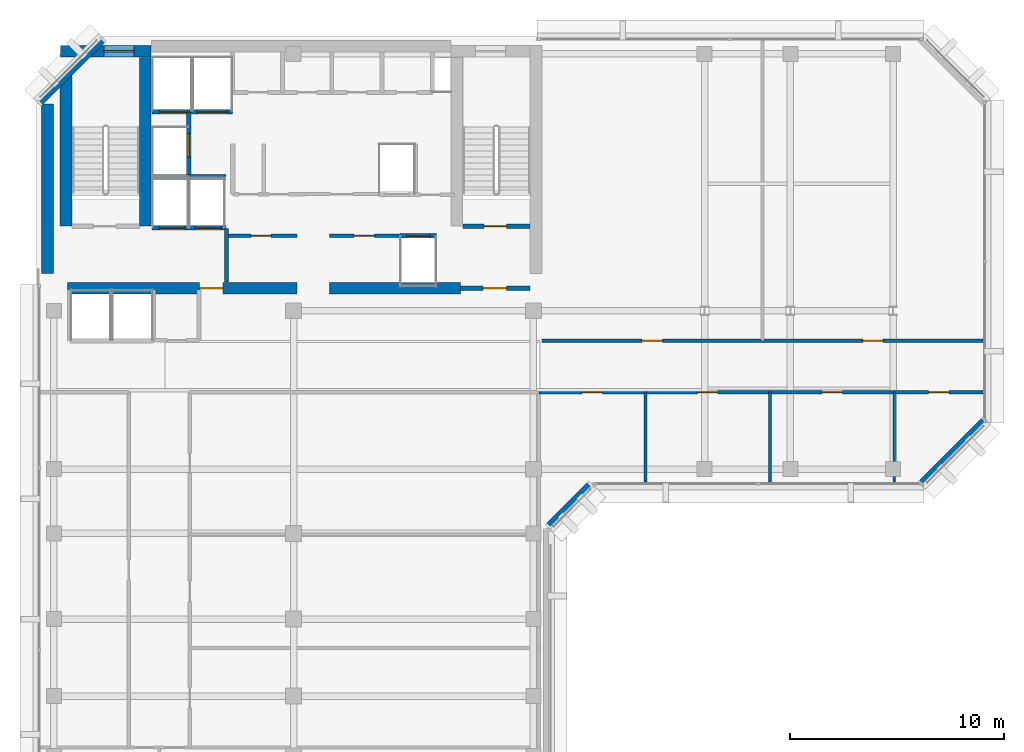
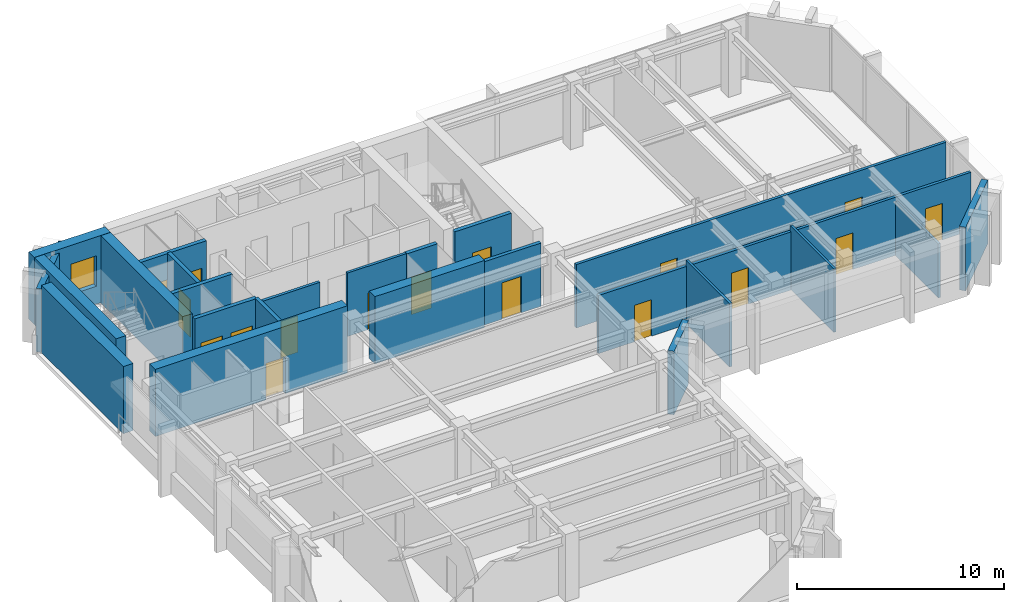
# One storey, part 7 of 11: 24 walls, 17 doors, 1 window, 18 openings.
"""IFC4 building model written with IfcOpenShell, lengths in metres."""

from ifc_helpers import new_model, si_unit, direction, frame, frame_2d, origin, place, context, subcontext, project, spatial, rectangle, extrude, material, layer, layer_set, type_object, element, fill, save


model = new_model("IFC4")

# Units and contexts
model_context = context("Model", 3, precision=1e-05, world=origin(), true_north=direction((0.0, 1.0)))
body_context = subcontext(model_context, "Body", "Model", "MODEL_VIEW")
ifc_project = project(units=[si_unit("LENGTHUNIT", "METRE"), si_unit("AREAUNIT", "SQUARE_METRE"), si_unit("VOLUMEUNIT", "CUBIC_METRE"), si_unit("PLANEANGLEUNIT", "RADIAN"), si_unit("MASSUNIT", "GRAM", prefix="KILO")], contexts=[model_context])

# Site, building, storey
site_placement = place(None, origin())
site = spatial("IfcSite", under=ifc_project, at=site_placement, CompositionType="ELEMENT")
building_placement = place(site_placement, origin())
building = spatial("IfcBuilding", under=site, at=building_placement, Name="Kefirva Bronze Tower", CompositionType="ELEMENT")
storey_placement = place(building_placement, frame((0.0, 0.0, 288.090087890625)))
storey = spatial("IfcBuildingStorey", under=building, at=storey_placement, Name="L70", CompositionType="ELEMENT", Elevation=288.090087890625)

# Walls
ifc_material_1 = material(Name="Gypsum acoustic partition")
ifc_layer_1 = layer(ifc_material_1, 0.1298828125, Name="Gypsum acoustic partition")
ifc_layer_set_1 = layer_set([ifc_layer_1], Name="Gypsum acoustic partition")
wall_type_1 = type_object("IfcWallType", Name="Acoustic Office Partition 130mm", PredefinedType="PARTITIONING", material=ifc_layer_set_1)
for number, where, z_axis, x_axis, name in (
    (1, (28.432373046875, 25.18994140625, 0.0), (0.0, 0.0, 1.0), (0.0, 1.0, 0.0), "L70 Partition W-L70-ESD1"),
    (2, (34.2451171875, 25.18994140625, 0.0), (0.0, 0.0, 1.0), (0.0, 1.0, 0.0), "L70 Partition W-L70-ESD2"),
):
    element("IfcWall", number, at=place(storey_placement, frame(where, z_axis=z_axis, x_axis=x_axis)), inside=storey, type_object=wall_type_1, Name=name, PredefinedType="PARTITIONING", context=body_context, shape_type="SweptSolid", body=[
        extrude(rectangle(XDim=4.2099609375, YDim=0.1298828125, at=frame_2d((2.10498046875, 0.0))), origin(), (0.0, 0.0, 1.0), 3.739990234375),
    ])
wall_1_placement = place(storey_placement, frame((40.05810546875, 25.18994140625, 0.0), z_axis=(0.0, 0.0, 1.0), x_axis=(0.0, 1.0, 0.0)))
element("IfcWall", 3, at=wall_1_placement, inside=storey, type_object=wall_type_1, Name="L70 Partition W-L70-ESD3", PredefinedType="PARTITIONING", context=body_context, shape_type="SweptSolid", body=[
    extrude(rectangle(XDim=4.2099609375, YDim=0.1298828125, at=frame_2d((2.10498046875, 0.0))), origin(), (0.0, 0.0, 1.0), 3.1748046875),
])

# Wall, opening, door
ifc_layer_2 = layer(ifc_material_1, 0.14990234375, Name="Gypsum acoustic partition")
ifc_layer_set_2 = layer_set([ifc_layer_2], Name="Gypsum acoustic partition")
wall_type_2 = type_object("IfcWallType", Name="Executive Suite Partition 150mm", PredefinedType="PARTITIONING", material=ifc_layer_set_2)
wall_2_placement = place(storey_placement, frame((13.679931640625, 36.699951171875, 0.0), z_axis=(0.0, 0.0, 1.0), x_axis=(1.0, 0.0, 0.0)))
wall_2 = element("IfcWall", 4, at=wall_2_placement, inside=storey, type_object=wall_type_2, Name="L70 Partition W-L70-RECMP1", PredefinedType="PARTITIONING", context=body_context, shape_type="SweptSolid", body=[
    extrude(rectangle(XDim=3.280029296875, YDim=0.14990234375, at=frame_2d((1.64013671875, 0.0))), origin(), (0.0, 0.0, 1.0), 3.739990234375),
])
opening_1_placement = place(wall_2_placement, frame((1.14990234375, 0.0, 0.0)))
opening_1 = element("IfcOpeningElement", 5, at=opening_1_placement, cuts=wall_2, Name="Opening L70-D-RECMP1", PredefinedType="OPENING", context=body_context, shape_type="SweptSolid", body=[
    extrude(rectangle(XDim=0.949951171875, YDim=2.14990234375, at=frame_2d((0.47509765625, 1.074951171875))), frame((0.0, 0.0849609375, 0.0), z_axis=(0.0, -1.0, 0.0), x_axis=(1.0, 0.0, 0.0)), (0.0, 0.0, 1.0), 0.169921875),
])
ifc_material_2 = material(Name="Acoustic hardwood oak", Category="wood")
door_type_1 = type_object("IfcDoorType", Name="Office & Meeting Room Door 950x2150", OperationType="NOTDEFINED", PredefinedType="DOOR", material=ifc_material_2)
door_1_placement = place(opening_1_placement, origin())
door_1 = element("IfcDoor", 6, at=door_1_placement, inside=storey, type_object=door_type_1, Name="Door L70-D-RECMP1", OperationType="SINGLE_SWING_LEFT", OverallHeight=2.14990234375, OverallWidth=0.949951171875, PredefinedType="DOOR", context=body_context, shape_type="SweptSolid", body=[
    extrude(rectangle(XDim=0.949951171875, YDim=2.14990234375, at=frame_2d((0.47509765625, 1.074951171875))), frame((0.0, 0.02490234375, 0.0), z_axis=(0.0, -1.0, 0.0), x_axis=(1.0, 0.0, 0.0)), (0.0, 0.0, 1.0), 0.050048828125),
])
fill(opening_1, door_1)

ifc_material_3 = material(Name="Gypsum fireboard shaftwall")
ifc_layer_3 = layer(ifc_material_3, 0.219970703125, Name="Gypsum fireboard shaftwall")
ifc_layer_set_3 = layer_set([ifc_layer_3], Name="Gypsum fireboard shaftwall")
wall_type_3 = type_object("IfcWallType", Name="Fire-Rated Shaft Enclosure Wall 220mm", PredefinedType="PARTITIONING", material=ifc_layer_set_3)
wall_3_placement = place(storey_placement, frame((19.89990234375, 37.14990234375, 0.0), z_axis=(0.0, 0.0, 1.0), x_axis=(1.0, 0.0, 0.0)))
wall_3 = element("IfcWall", 7, at=wall_3_placement, inside=storey, type_object=wall_type_3, Name="L70 Partition W-L70-ST2S", PredefinedType="PARTITIONING", context=body_context, shape_type="SweptSolid", body=[
    extrude(rectangle(XDim=3.150146484375, YDim=0.219970703125, at=frame_2d((1.5751953125, 0.0))), origin(), (0.0, 0.0, 1.0), 3.739990234375),
])
opening_2_placement = place(wall_3_placement, frame((2.050048828125, 0.0, 0.0), z_axis=(0.0, 0.0, 1.0), x_axis=(-1.0, 0.0, 0.0)))
opening_2 = element("IfcOpeningElement", 8, at=opening_2_placement, cuts=wall_3, Name="Opening L70-D003", PredefinedType="OPENING", context=body_context, shape_type="SweptSolid", body=[
    extrude(rectangle(XDim=1.050048828125, YDim=2.14990234375, at=frame_2d((0.52490234375, 1.074951171875))), frame((0.0, 0.1201171875, 0.0), z_axis=(0.0, -1.0, 0.0), x_axis=(1.0, 0.0, 0.0)), (0.0, 0.0, 1.0), 0.239990234375),
])
ifc_material_4 = material(Name="Painted galvanized steel", Category="steel")
door_type_2 = type_object("IfcDoorType", Name="Fire Stair Enclosure Door 1050x2150 FD90S", OperationType="NOTDEFINED", PredefinedType="DOOR", material=ifc_material_4)
door_2_placement = place(opening_2_placement, origin())
door_2 = element("IfcDoor", 9, at=door_2_placement, inside=storey, type_object=door_type_2, Name="Door L70-D003", OperationType="SINGLE_SWING_RIGHT", OverallHeight=2.14990234375, OverallWidth=1.050048828125, PredefinedType="DOOR", context=body_context, shape_type="SweptSolid", body=[
    extrude(rectangle(XDim=1.050048828125, YDim=2.14990234375, at=frame_2d((0.52490234375, 1.074951171875))), frame((0.0, 0.02490234375, 0.0), z_axis=(0.0, -1.0, 0.0), x_axis=(1.0, 0.0, 0.0)), (0.0, 0.0, 1.0), 0.050048828125),
])
fill(opening_2, door_2)

# Wall, openings, doors
wall_4_placement = place(storey_placement, frame((5.3798828125, 37.080078125, 0.0), z_axis=(0.0, 0.0, 1.0), x_axis=(1.0, 0.0, 0.0)))
wall_4 = element("IfcWall", 10, at=wall_4_placement, inside=storey, type_object=wall_type_3, Name="L70 Partition W-L70-FFS", PredefinedType="PARTITIONING", context=body_context, shape_type="SweptSolid", body=[
    extrude(rectangle(XDim=3.460205078125, YDim=0.219970703125, at=frame_2d((1.72998046875, 0.0))), origin(), (0.0, 0.0, 1.0), 3.739990234375),
])
opening_3_placement = place(wall_4_placement, frame((1.550048828125, 0.0, 0.0), z_axis=(0.0, 0.0, 1.0), x_axis=(-1.0, 0.0, 0.0)))
opening_3 = element("IfcOpeningElement", 11, at=opening_3_placement, cuts=wall_4, Name="Opening L70-LD-FF1", PredefinedType="OPENING", context=body_context, shape_type="SweptSolid", body=[
    extrude(rectangle(XDim=1.199951171875, YDim=2.199951171875, at=frame_2d((0.60009765625, 1.10009765625))), frame((0.0, 0.1201171875, 0.0), z_axis=(0.0, -1.0, 0.0), x_axis=(1.0, 0.0, 0.0)), (0.0, 0.0, 1.0), 0.239990234375),
])
opening_4_placement = place(wall_4_placement, frame((3.219970703125, 0.0, 0.0), z_axis=(0.0, 0.0, 1.0), x_axis=(-1.0, 0.0, 0.0)))
opening_4 = element("IfcOpeningElement", 12, at=opening_4_placement, cuts=wall_4, Name="Opening L70-LD-FF2", PredefinedType="OPENING", context=body_context, shape_type="SweptSolid", body=[
    extrude(rectangle(XDim=1.199951171875, YDim=2.199951171875, at=frame_2d((0.60009765625, 1.10009765625))), frame((0.0, 0.1201171875, 0.0), z_axis=(0.0, -1.0, 0.0), x_axis=(1.0, 0.0, 0.0)), (0.0, 0.0, 1.0), 0.239990234375),
])
ifc_material_5 = material(Name="Stainless steel 316", Category="steel")
door_type_3 = type_object("IfcDoorType", Name="Firefighting Lift Sliding Door 1200x2200", OperationType="SLIDING_TO_RIGHT", PredefinedType="DOOR", material=ifc_material_5)
door_3_placement = place(opening_3_placement, origin())
door_3 = element("IfcDoor", 13, at=door_3_placement, inside=storey, type_object=door_type_3, Name="Door L70-LD-FF1", OperationType="SLIDING_TO_RIGHT", OverallHeight=2.199951171875, OverallWidth=1.199951171875, PredefinedType="DOOR", context=body_context, shape_type="SweptSolid", body=[
    extrude(rectangle(XDim=1.199951171875, YDim=2.199951171875, at=frame_2d((0.60009765625, 1.10009765625))), frame((0.0, 0.02490234375, 0.0), z_axis=(0.0, -1.0, 0.0), x_axis=(1.0, 0.0, 0.0)), (0.0, 0.0, 1.0), 0.050048828125),
])
fill(opening_3, door_3)
door_4_placement = place(opening_4_placement, origin())
door_4 = element("IfcDoor", 14, at=door_4_placement, inside=storey, type_object=door_type_3, Name="Door L70-LD-FF2", OperationType="SLIDING_TO_RIGHT", OverallHeight=2.199951171875, OverallWidth=1.199951171875, PredefinedType="DOOR", context=body_context, shape_type="SweptSolid", body=[
    extrude(rectangle(XDim=1.199951171875, YDim=2.199951171875, at=frame_2d((0.60009765625, 1.10009765625))), frame((0.0, 0.02490234375, 0.0), z_axis=(0.0, -1.0, 0.0), x_axis=(1.0, 0.0, 0.0)), (0.0, 0.0, 1.0), 0.050048828125),
])
fill(opening_4, door_4)

# Wall
wall_5_placement = place(storey_placement, frame((5.3798828125, 39.449951171875, 0.0), z_axis=(0.0, 0.0, 1.0), x_axis=(1.0, 0.0, 0.0)))
element("IfcWall", 15, at=wall_5_placement, inside=storey, type_object=wall_type_3, Name="L70 Partition W-L70-FFN", PredefinedType="PARTITIONING", context=body_context, shape_type="SweptSolid", body=[
    extrude(rectangle(XDim=3.460205078125, YDim=0.219970703125, at=frame_2d((1.72998046875, 0.0))), origin(), (0.0, 0.0, 1.0), 3.739990234375),
])

# Wall, openings, doors
wall_6_placement = place(storey_placement, frame((5.3798828125, 42.5, 0.0), z_axis=(0.0, 0.0, 1.0), x_axis=(1.0, 0.0, 0.0)))
wall_6 = element("IfcWall", 16, at=wall_6_placement, inside=storey, type_object=wall_type_3, Name="L70 Partition W-L70-SVS", PredefinedType="PARTITIONING", context=body_context, shape_type="SweptSolid", body=[
    extrude(rectangle(XDim=3.77001953125, YDim=0.219970703125, at=frame_2d((1.885009765625, 0.0))), origin(), (0.0, 0.0, 1.0), 3.739990234375),
])
opening_5_placement = place(wall_6_placement, frame((1.75, 0.0, 0.0), z_axis=(0.0, 0.0, 1.0), x_axis=(-1.0, 0.0, 0.0)))
opening_5 = element("IfcOpeningElement", 17, at=opening_5_placement, cuts=wall_6, Name="Opening L70-LD-SV1", PredefinedType="OPENING", context=body_context, shape_type="SweptSolid", body=[
    extrude(rectangle(XDim=1.39990234375, YDim=2.199951171875, at=frame_2d((0.699951171875, 1.10009765625))), frame((0.0, 0.1201171875, 0.0), z_axis=(0.0, -1.0, 0.0), x_axis=(1.0, 0.0, 0.0)), (0.0, 0.0, 1.0), 0.239990234375),
])
opening_6_placement = place(wall_6_placement, frame((3.52978515625, 0.0, 0.0), z_axis=(0.0, 0.0, 1.0), x_axis=(-1.0, 0.0, 0.0)))
opening_6 = element("IfcOpeningElement", 18, at=opening_6_placement, cuts=wall_6, Name="Opening L70-LD-SV2", PredefinedType="OPENING", context=body_context, shape_type="SweptSolid", body=[
    extrude(rectangle(XDim=1.39990234375, YDim=2.199951171875, at=frame_2d((0.699951171875, 1.10009765625))), frame((0.0, 0.1201171875, 0.0), z_axis=(0.0, -1.0, 0.0), x_axis=(1.0, 0.0, 0.0)), (0.0, 0.0, 1.0), 0.239990234375),
])
door_type_4 = type_object("IfcDoorType", Name="Goods Lift Bi-Parting Sliding Door 1400x2200", OperationType="SLIDING_TO_LEFT", PredefinedType="DOOR", material=ifc_material_5)
door_5_placement = place(opening_5_placement, origin())
door_5 = element("IfcDoor", 19, at=door_5_placement, inside=storey, type_object=door_type_4, Name="Door L70-LD-SV1", OperationType="SLIDING_TO_LEFT", OverallHeight=2.199951171875, OverallWidth=1.39990234375, PredefinedType="DOOR", context=body_context, shape_type="SweptSolid", body=[
    extrude(rectangle(XDim=1.39990234375, YDim=2.199951171875, at=frame_2d((0.699951171875, 1.10009765625))), frame((0.0, 0.02490234375, 0.0), z_axis=(0.0, -1.0, 0.0), x_axis=(1.0, 0.0, 0.0)), (0.0, 0.0, 1.0), 0.050048828125),
])
fill(opening_5, door_5)
door_6_placement = place(opening_6_placement, origin())
door_6 = element("IfcDoor", 20, at=door_6_placement, inside=storey, type_object=door_type_4, Name="Door L70-LD-SV2", OperationType="SLIDING_TO_LEFT", OverallHeight=2.199951171875, OverallWidth=1.39990234375, PredefinedType="DOOR", context=body_context, shape_type="SweptSolid", body=[
    extrude(rectangle(XDim=1.39990234375, YDim=2.199951171875, at=frame_2d((0.699951171875, 1.10009765625))), frame((0.0, 0.02490234375, 0.0), z_axis=(0.0, -1.0, 0.0), x_axis=(1.0, 0.0, 0.0)), (0.0, 0.0, 1.0), 0.050048828125),
])
fill(opening_6, door_6)

# Wall, opening, door
wall_7_placement = place(storey_placement, frame((7.10009765625, 39.52001953125, 0.0), z_axis=(0.0, 0.0, 1.0), x_axis=(0.0, 1.0, 0.0)))
wall_7 = element("IfcWall", 21, at=wall_7_placement, inside=storey, type_object=wall_type_3, Name="L70 Partition W-L70-HP3E", PredefinedType="PARTITIONING", context=body_context, shape_type="SweptSolid", body=[
    extrude(rectangle(XDim=2.929931640625, YDim=0.219970703125, at=frame_2d((1.46484375, 0.0))), origin(), (0.0, 0.0, 1.0), 3.739990234375),
])
opening_7_placement = place(wall_7_placement, frame((0.85009765625, 0.0, 0.0)))
opening_7 = element("IfcOpeningElement", 22, at=opening_7_placement, cuts=wall_7, Name="Opening L70-LD-HP3", PredefinedType="OPENING", context=body_context, shape_type="SweptSolid", body=[
    extrude(rectangle(XDim=1.10009765625, YDim=2.199951171875, at=frame_2d((0.550048828125, 1.10009765625))), frame((0.0, 0.1201171875, 0.0), z_axis=(0.0, -1.0, 0.0), x_axis=(1.0, 0.0, 0.0)), (0.0, 0.0, 1.0), 0.239990234375),
])
door_type_5 = type_object("IfcDoorType", Name="Passenger Lift Sliding Landing Door 1100x2200", OperationType="SLIDING_TO_LEFT", PredefinedType="DOOR", material=ifc_material_5)
door_7_placement = place(opening_7_placement, origin())
door_7 = element("IfcDoor", 23, at=door_7_placement, inside=storey, type_object=door_type_5, Name="Door L70-LD-HP3", OperationType="SLIDING_TO_LEFT", OverallHeight=2.199951171875, OverallWidth=1.10009765625, PredefinedType="DOOR", context=body_context, shape_type="SweptSolid", body=[
    extrude(rectangle(XDim=1.10009765625, YDim=2.199951171875, at=frame_2d((0.550048828125, 1.10009765625))), frame((0.0, 0.02490234375, 0.0), z_axis=(0.0, -1.0, 0.0), x_axis=(1.0, 0.0, 0.0)), (0.0, 0.0, 1.0), 0.050048828125),
])
fill(opening_7, door_7)

wall_8_placement = place(storey_placement, frame((16.97998046875, 36.699951171875, 0.0), z_axis=(0.0, 0.0, 1.0), x_axis=(1.0, 0.0, 0.0)))
wall_8 = element("IfcWall", 24, at=wall_8_placement, inside=storey, type_object=wall_type_3, Name="L70 Partition W-L70-HPS", PredefinedType="PARTITIONING", context=body_context, shape_type="SweptSolid", body=[
    extrude(rectangle(XDim=1.699951171875, YDim=0.219970703125, at=frame_2d((0.85009765625, 0.0))), origin(), (0.0, 0.0, 1.0), 3.739990234375),
])
opening_8_placement = place(wall_8_placement, frame((0.300048828125, 0.0, 0.0)))
opening_8 = element("IfcOpeningElement", 25, at=opening_8_placement, cuts=wall_8, Name="Opening L70-LD-HP1", PredefinedType="OPENING", context=body_context, shape_type="SweptSolid", body=[
    extrude(rectangle(XDim=1.10009765625, YDim=2.199951171875, at=frame_2d((0.550048828125, 1.10009765625))), frame((0.0, 0.1201171875, 0.0), z_axis=(0.0, -1.0, 0.0), x_axis=(1.0, 0.0, 0.0)), (0.0, 0.0, 1.0), 0.239990234375),
])
door_8_placement = place(opening_8_placement, origin())
door_8 = element("IfcDoor", 26, at=door_8_placement, inside=storey, type_object=door_type_5, Name="Door L70-LD-HP1", OperationType="SLIDING_TO_LEFT", OverallHeight=2.199951171875, OverallWidth=1.10009765625, PredefinedType="DOOR", context=body_context, shape_type="SweptSolid", body=[
    extrude(rectangle(XDim=1.10009765625, YDim=2.199951171875, at=frame_2d((0.550048828125, 1.10009765625))), frame((0.0, 0.02490234375, 0.0), z_axis=(0.0, -1.0, 0.0), x_axis=(1.0, 0.0, 0.0)), (0.0, 0.0, 1.0), 0.050048828125),
])
fill(opening_8, door_8)

# Wall
ifc_material_6 = material(Name="Gypsum fireboard barrier")
ifc_layer_4 = layer(ifc_material_6, 0.199951171875, Name="Gypsum fireboard barrier")
ifc_layer_set_4 = layer_set([ifc_layer_4], Name="Gypsum fireboard barrier")
wall_type_4 = type_object("IfcWallType", Name="Firefighting Lobby Barrier Wall 200mm", PredefinedType="PARTITIONING", material=ifc_layer_set_4)
wall_9_placement = place(storey_placement, frame((8.860107421875, 34.550048828125, 0.0), z_axis=(0.0, 0.0, 1.0), x_axis=(0.0, 1.0, 0.0)))
element("IfcWall", 27, at=wall_9_placement, inside=storey, type_object=wall_type_4, Name="L70 Partition W-L70-FFLE", PredefinedType="PARTITIONING", context=body_context, shape_type="SweptSolid", body=[
    extrude(rectangle(XDim=2.5, YDim=0.199951171875, at=frame_2d((1.25, 0.0))), origin(), (0.0, 0.0, 1.0), 3.739990234375),
])

# Wall, opening, door
wall_10_placement = place(storey_placement, frame((19.800048828125, 34.25, 0.0), z_axis=(0.0, 0.0, 1.0), x_axis=(1.0, 0.0, 0.0)))
wall_10 = element("IfcWall", 28, at=wall_10_placement, inside=storey, type_object=wall_type_4, Name="L70 Partition W-L70-ST2F", PredefinedType="PARTITIONING", context=body_context, shape_type="SweptSolid", body=[
    extrude(rectangle(XDim=3.25, YDim=0.199951171875, at=frame_2d((1.625, 0.0))), origin(), (0.0, 0.0, 1.0), 3.739990234375),
])
opening_9_placement = place(wall_10_placement, frame((2.150146484375, 0.0, 0.0), z_axis=(0.0, 0.0, 1.0), x_axis=(-1.0, 0.0, 0.0)))
opening_9 = element("IfcOpeningElement", 29, at=opening_9_placement, cuts=wall_10, Name="Opening L70-D004", PredefinedType="OPENING", context=body_context, shape_type="SweptSolid", body=[
    extrude(rectangle(XDim=1.10009765625, YDim=2.14990234375, at=frame_2d((0.550048828125, 1.074951171875))), frame((0.0, 0.10986328125, 0.0), z_axis=(0.0, -1.0, 0.0), x_axis=(1.0, 0.0, 0.0)), (0.0, 0.0, 1.0), 0.219970703125),
])
door_type_6 = type_object("IfcDoorType", Name="Firefighting Lobby Smoke Door 1100x2150 FD60S", OperationType="NOTDEFINED", PredefinedType="DOOR", material=ifc_material_4)
door_9_placement = place(opening_9_placement, origin())
door_9 = element("IfcDoor", 30, at=door_9_placement, inside=storey, type_object=door_type_6, Name="Door L70-D004", OperationType="SINGLE_SWING_LEFT", OverallHeight=2.14990234375, OverallWidth=1.10009765625, PredefinedType="DOOR", context=body_context, shape_type="SweptSolid", body=[
    extrude(rectangle(XDim=1.10009765625, YDim=2.14990234375, at=frame_2d((0.550048828125, 1.074951171875))), frame((0.0, 0.02490234375, 0.0), z_axis=(0.0, -1.0, 0.0), x_axis=(1.0, 0.0, 0.0)), (0.0, 0.0, 1.0), 0.050048828125),
])
fill(opening_9, door_9)

# Walls
ifc_material_7 = material(Name="Precast concrete C40/50", Category="concrete")
ifc_layer_5 = layer(ifc_material_7, 0.320068359375, Name="Precast concrete C40/50")
ifc_layer_set_5 = layer_set([ifc_layer_5], Name="Precast concrete C40/50")
wall_type_5 = type_object("IfcWallType", Name="Precast Insulated Exterior Wall 320mm", PredefinedType="SOLIDWALL", material=ifc_layer_set_5)
wall_11_placement = place(storey_placement, frame((23.92578125, 23.152099609375, 0.0), z_axis=(0.0, 0.0, 1.0), x_axis=(0.707106781187, 0.707106781187, 0.0)))
element("IfcWall", 31, at=wall_11_placement, inside=storey, type_object=wall_type_5, Name="L70 Exterior Facade Wall 3", PredefinedType="SOLIDWALL", context=body_context, shape_type="SweptSolid", body=[
    extrude(rectangle(XDim=2.71826171875, YDim=0.320068359375, at=frame_2d((1.359130859375, 0.0))), origin(), (0.0, 0.0, 1.0), 3.739990234375),
])
for number, where, z_axis, x_axis, name in (
    (32, (41.32568359375, 25.152099609375, 0.0), (0.0, 0.0, 1.0), (0.707136318428, 0.707077242712, 0.0), "L70 Exterior Facade Wall 4"),
    (33, (3.07421875, 45.847900390625, 0.0), (0.0, 0.0, 1.0), (-0.707106781187, -0.707106781187, 0.0), "L70 Exterior Facade Wall 6"),
):
    element("IfcWall", number, at=place(storey_placement, frame(where, z_axis=z_axis, x_axis=x_axis)), inside=storey, type_object=wall_type_5, Name=name, PredefinedType="SOLIDWALL", context=body_context, shape_type="SweptSolid", body=[
        extrude(rectangle(XDim=4.132568359375, YDim=0.320068359375, at=frame_2d((2.06640625, 0.0))), origin(), (0.0, 0.0, 1.0), 3.739990234375),
    ])

# Wall, opening, door
ifc_layer_6 = layer(ifc_material_1, 0.159912109375, Name="Gypsum acoustic partition")
ifc_layer_set_6 = layer_set([ifc_layer_6], Name="Gypsum acoustic partition")
wall_type_6 = type_object("IfcWallType", Name="Protected Corridor Partition 160mm", PredefinedType="PARTITIONING", material=ifc_layer_set_6)
wall_12_placement = place(storey_placement, frame((8.89990234375, 36.699951171875, 0.0), z_axis=(0.0, 0.0, 1.0), x_axis=(1.0, 0.0, 0.0)))
wall_12 = element("IfcWall", 34, at=wall_12_placement, inside=storey, type_object=wall_type_6, Name="L70 Partition W-L70-RECLP1", PredefinedType="PARTITIONING", context=body_context, shape_type="SweptSolid", body=[
    extrude(rectangle(XDim=3.25, YDim=0.159912109375, at=frame_2d((1.625, 0.0))), origin(), (0.0, 0.0, 1.0), 3.739990234375),
])
opening_10_placement = place(wall_12_placement, frame((1.10009765625, 0.0, 0.0)))
opening_10 = element("IfcOpeningElement", 35, at=opening_10_placement, cuts=wall_12, Name="Opening L70-D-RECLP1", PredefinedType="OPENING", context=body_context, shape_type="SweptSolid", body=[
    extrude(rectangle(XDim=0.949951171875, YDim=2.14990234375, at=frame_2d((0.47509765625, 1.074951171875))), frame((0.0, 0.08984375, 0.0), z_axis=(0.0, -1.0, 0.0), x_axis=(1.0, 0.0, 0.0)), (0.0, 0.0, 1.0), 0.179931640625),
])
door_10_placement = place(opening_10_placement, origin())
door_10 = element("IfcDoor", 36, at=door_10_placement, inside=storey, type_object=door_type_1, Name="Door L70-D-RECLP1", OperationType="SINGLE_SWING_RIGHT", OverallHeight=2.14990234375, OverallWidth=0.949951171875, PredefinedType="DOOR", context=body_context, shape_type="SweptSolid", body=[
    extrude(rectangle(XDim=0.949951171875, YDim=2.14990234375, at=frame_2d((0.47509765625, 1.074951171875))), frame((0.0, 0.02490234375, 0.0), z_axis=(0.0, -1.0, 0.0), x_axis=(1.0, 0.0, 0.0)), (0.0, 0.0, 1.0), 0.050048828125),
])
fill(opening_10, door_10)

# Wall, openings, doors
wall_13_placement = place(storey_placement, frame((23.449951171875, 29.39990234375, 0.0), z_axis=(0.0, 0.0, 1.0), x_axis=(1.0, 0.0, 0.0)))
wall_13 = element("IfcWall", 37, at=wall_13_placement, inside=storey, type_object=wall_type_6, Name="L70 Partition W-L70-EWS", PredefinedType="PARTITIONING", context=body_context, shape_type="SweptSolid", body=[
    extrude(rectangle(XDim=20.760009765625, YDim=0.159912109375, at=frame_2d((10.3798828125, 0.0))), origin(), (0.0, 0.0, 1.0), 3.4248046875),
])
opening_11_placement = place(wall_13_placement, frame((2.966064453125, 0.0, 0.0), z_axis=(0.0, 0.0, 1.0), x_axis=(-1.0, 0.0, 0.0)))
opening_11 = element("IfcOpeningElement", 38, at=opening_11_placement, cuts=wall_13, Name="Opening L70-D-ES1", PredefinedType="OPENING", context=body_context, shape_type="SweptSolid", body=[
    extrude(rectangle(XDim=0.949951171875, YDim=2.14990234375, at=frame_2d((0.47509765625, 1.074951171875))), frame((0.0, 0.08984375, 0.0), z_axis=(0.0, -1.0, 0.0), x_axis=(1.0, 0.0, 0.0)), (0.0, 0.0, 1.0), 0.179931640625),
])
opening_12_placement = place(wall_13_placement, frame((8.36376953125, 0.0, 0.0), z_axis=(0.0, 0.0, 1.0), x_axis=(-1.0, 0.0, 0.0)))
opening_12 = element("IfcOpeningElement", 39, at=opening_12_placement, cuts=wall_13, Name="Opening L70-D-ES2", PredefinedType="OPENING", context=body_context, shape_type="SweptSolid", body=[
    extrude(rectangle(XDim=0.949951171875, YDim=2.14990234375, at=frame_2d((0.47509765625, 1.074951171875))), frame((0.0, 0.08984375, 0.0), z_axis=(0.0, -1.0, 0.0), x_axis=(1.0, 0.0, 0.0)), (0.0, 0.0, 1.0), 0.179931640625),
])
opening_13_placement = place(wall_13_placement, frame((14.176513671875, 0.0, 0.0), z_axis=(0.0, 0.0, 1.0), x_axis=(-1.0, 0.0, 0.0)))
opening_13 = element("IfcOpeningElement", 40, at=opening_13_placement, cuts=wall_13, Name="Opening L70-D-ES3", PredefinedType="OPENING", context=body_context, shape_type="SweptSolid", body=[
    extrude(rectangle(XDim=0.949951171875, YDim=2.14990234375, at=frame_2d((0.47509765625, 1.074951171875))), frame((0.0, 0.08984375, 0.0), z_axis=(0.0, -1.0, 0.0), x_axis=(1.0, 0.0, 0.0)), (0.0, 0.0, 1.0), 0.179931640625),
])
opening_14_placement = place(wall_13_placement, frame((19.158935546875, 0.0, 0.0), z_axis=(0.0, 0.0, 1.0), x_axis=(-1.0, 0.0, 0.0)))
opening_14 = element("IfcOpeningElement", 41, at=opening_14_placement, cuts=wall_13, Name="Opening L70-D-ES4", PredefinedType="OPENING", context=body_context, shape_type="SweptSolid", body=[
    extrude(rectangle(XDim=0.949951171875, YDim=2.14990234375, at=frame_2d((0.47509765625, 1.074951171875))), frame((0.0, 0.08984375, 0.0), z_axis=(0.0, -1.0, 0.0), x_axis=(1.0, 0.0, 0.0)), (0.0, 0.0, 1.0), 0.179931640625),
])
door_11_placement = place(opening_11_placement, origin())
door_11 = element("IfcDoor", 42, at=door_11_placement, inside=storey, type_object=door_type_1, Name="Door L70-D-ES1", OperationType="SINGLE_SWING_LEFT", OverallHeight=2.14990234375, OverallWidth=0.949951171875, PredefinedType="DOOR", context=body_context, shape_type="SweptSolid", body=[
    extrude(rectangle(XDim=0.949951171875, YDim=2.14990234375, at=frame_2d((0.47509765625, 1.074951171875))), frame((0.0, 0.02490234375, 0.0), z_axis=(0.0, -1.0, 0.0), x_axis=(1.0, 0.0, 0.0)), (0.0, 0.0, 1.0), 0.050048828125),
])
fill(opening_11, door_11)
door_12_placement = place(opening_12_placement, origin())
door_12 = element("IfcDoor", 43, at=door_12_placement, inside=storey, type_object=door_type_1, Name="Door L70-D-ES2", OperationType="SINGLE_SWING_RIGHT", OverallHeight=2.14990234375, OverallWidth=0.949951171875, PredefinedType="DOOR", context=body_context, shape_type="SweptSolid", body=[
    extrude(rectangle(XDim=0.949951171875, YDim=2.14990234375, at=frame_2d((0.47509765625, 1.074951171875))), frame((0.0, 0.02490234375, 0.0), z_axis=(0.0, -1.0, 0.0), x_axis=(1.0, 0.0, 0.0)), (0.0, 0.0, 1.0), 0.050048828125),
])
fill(opening_12, door_12)
door_13_placement = place(opening_13_placement, origin())
door_13 = element("IfcDoor", 44, at=door_13_placement, inside=storey, type_object=door_type_1, Name="Door L70-D-ES3", OperationType="SINGLE_SWING_LEFT", OverallHeight=2.14990234375, OverallWidth=0.949951171875, PredefinedType="DOOR", context=body_context, shape_type="SweptSolid", body=[
    extrude(rectangle(XDim=0.949951171875, YDim=2.14990234375, at=frame_2d((0.47509765625, 1.074951171875))), frame((0.0, 0.02490234375, 0.0), z_axis=(0.0, -1.0, 0.0), x_axis=(1.0, 0.0, 0.0)), (0.0, 0.0, 1.0), 0.050048828125),
])
fill(opening_13, door_13)
door_14_placement = place(opening_14_placement, origin())
door_14 = element("IfcDoor", 45, at=door_14_placement, inside=storey, type_object=door_type_1, Name="Door L70-D-ES4", OperationType="SINGLE_SWING_RIGHT", OverallHeight=2.14990234375, OverallWidth=0.949951171875, PredefinedType="DOOR", context=body_context, shape_type="SweptSolid", body=[
    extrude(rectangle(XDim=0.949951171875, YDim=2.14990234375, at=frame_2d((0.47509765625, 1.074951171875))), frame((0.0, 0.02490234375, 0.0), z_axis=(0.0, -1.0, 0.0), x_axis=(1.0, 0.0, 0.0)), (0.0, 0.0, 1.0), 0.050048828125),
])
fill(opening_14, door_14)

wall_14_placement = place(storey_placement, frame((23.60009765625, 31.800048828125, 0.0), z_axis=(0.0, 0.0, 1.0), x_axis=(1.0, 0.0, 0.0)))
wall_14 = element("IfcWall", 46, at=wall_14_placement, inside=storey, type_object=wall_type_6, Name="L70 Partition W-L70-EWN", PredefinedType="PARTITIONING", context=body_context, shape_type="SweptSolid", body=[
    extrude(rectangle(XDim=20.60986328125, YDim=0.159912109375, at=frame_2d((10.304931640625, 0.0))), origin(), (0.0, 0.0, 1.0), 3.739990234375),
])
opening_15_placement = place(wall_14_placement, frame((4.677490234375, 0.0, 0.0)))
opening_15 = element("IfcOpeningElement", 47, at=opening_15_placement, cuts=wall_14, Name="Opening L70-D-EN1", PredefinedType="OPENING", context=body_context, shape_type="SweptSolid", body=[
    extrude(rectangle(XDim=0.949951171875, YDim=2.14990234375, at=frame_2d((0.47509765625, 1.074951171875))), frame((0.0, 0.08984375, 0.0), z_axis=(0.0, -1.0, 0.0), x_axis=(1.0, 0.0, 0.0)), (0.0, 0.0, 1.0), 0.179931640625),
])
opening_16_placement = place(wall_14_placement, frame((14.982421875, 0.0, 0.0)))
opening_16 = element("IfcOpeningElement", 48, at=opening_16_placement, cuts=wall_14, Name="Opening L70-D-EN2", PredefinedType="OPENING", context=body_context, shape_type="SweptSolid", body=[
    extrude(rectangle(XDim=0.949951171875, YDim=2.14990234375, at=frame_2d((0.47509765625, 1.074951171875))), frame((0.0, 0.08984375, 0.0), z_axis=(0.0, -1.0, 0.0), x_axis=(1.0, 0.0, 0.0)), (0.0, 0.0, 1.0), 0.179931640625),
])
door_15_placement = place(opening_15_placement, origin())
door_15 = element("IfcDoor", 49, at=door_15_placement, inside=storey, type_object=door_type_1, Name="Door L70-D-EN1", OperationType="SINGLE_SWING_LEFT", OverallHeight=2.14990234375, OverallWidth=0.949951171875, PredefinedType="DOOR", context=body_context, shape_type="SweptSolid", body=[
    extrude(rectangle(XDim=0.949951171875, YDim=2.14990234375, at=frame_2d((0.47509765625, 1.074951171875))), frame((0.0, 0.02490234375, 0.0), z_axis=(0.0, -1.0, 0.0), x_axis=(1.0, 0.0, 0.0)), (0.0, 0.0, 1.0), 0.050048828125),
])
fill(opening_15, door_15)
door_16_placement = place(opening_16_placement, origin())
door_16 = element("IfcDoor", 50, at=door_16_placement, inside=storey, type_object=door_type_1, Name="Door L70-D-EN2", OperationType="SINGLE_SWING_RIGHT", OverallHeight=2.14990234375, OverallWidth=0.949951171875, PredefinedType="DOOR", context=body_context, shape_type="SweptSolid", body=[
    extrude(rectangle(XDim=0.949951171875, YDim=2.14990234375, at=frame_2d((0.47509765625, 1.074951171875))), frame((0.0, 0.02490234375, 0.0), z_axis=(0.0, -1.0, 0.0), x_axis=(1.0, 0.0, 0.0)), (0.0, 0.0, 1.0), 0.050048828125),
])
fill(opening_16, door_16)

# Wall
ifc_material_8 = material(Name="Concrete C50/60", Category="concrete")
ifc_layer_7 = layer(ifc_material_8, 0.550048828125, Name="Concrete C50/60")
ifc_layer_set_7 = layer_set([ifc_layer_7], Name="Concrete C50/60")
wall_type_7 = type_object("IfcWallType", Name="RC Rear Core Exterior Wall 550mm", PredefinedType="SHEAR", material=ifc_layer_set_7)
wall_15_placement = place(storey_placement, frame((0.5, 34.949951171875, 0.0), z_axis=(0.0, 0.0, 1.0), x_axis=(0.0, 1.0, 0.0)))
element("IfcWall", 51, at=wall_15_placement, inside=storey, type_object=wall_type_7, Name="L70 Rear Core West Shear Wall", PredefinedType="SHEAR", context=body_context, shape_type="SweptSolid", body=[
    extrude(rectangle(XDim=7.900146484375, YDim=0.550048828125, at=frame_2d((3.9501953125, 0.0))), origin(), (0.0, 0.0, 1.0), 3.9599609375),
])

# Wall, opening, window
wall_16_placement = place(storey_placement, frame((1.10009765625, 45.320068359375, 0.0), z_axis=(0.0, 0.0, 1.0), x_axis=(1.0, 0.0, 0.0)))
wall_16 = element("IfcWall", 52, at=wall_16_placement, inside=storey, type_object=wall_type_7, Name="L70 Stair 1 North Shear Wall", PredefinedType="SHEAR", context=body_context, shape_type="SweptSolid", body=[
    extrude(rectangle(XDim=4.239990234375, YDim=0.550048828125, at=frame_2d((2.1201171875, 0.0))), origin(), (0.0, 0.0, 1.0), 3.9599609375),
])
opening_17_placement = place(wall_16_placement, frame((2.050048828125, 0.0, 1.050048828125)))
opening_17 = element("IfcOpeningElement", 53, at=opening_17_placement, cuts=wall_16, Name="Opening WN-03", PredefinedType="OPENING", context=body_context, shape_type="SweptSolid", body=[
    extrude(rectangle(XDim=1.39990234375, YDim=1.800048828125, at=frame_2d((0.699951171875, 0.89990234375))), frame((0.0, 0.28515625, 0.0), z_axis=(0.0, -1.0, 0.0), x_axis=(1.0, 0.0, 0.0)), (0.0, 0.0, 1.0), 0.570068359375),
])
ifc_material_9 = material(Name="Laminated low-E double glazing", Category="glass")
window_type = type_object("IfcWindowType", Name="Rear-Core Stair Daylight Window 1400x1800", PartitioningType="SINGLE_PANEL", PredefinedType="WINDOW", material=ifc_material_9)
window_placement = place(opening_17_placement, origin())
window = element("IfcWindow", 54, at=window_placement, inside=storey, type_object=window_type, Name="L70 Stair 1 Daylight Window", OverallHeight=1.800048828125, OverallWidth=1.39990234375, PartitioningType="SINGLE_PANEL", PredefinedType="WINDOW", context=body_context, shape_type="SweptSolid", body=[
    extrude(rectangle(XDim=1.39990234375, YDim=1.800048828125, at=frame_2d((0.699951171875, 0.89990234375))), frame((0.0, 0.030029296875, 0.0), z_axis=(0.0, -1.0, 0.0), x_axis=(1.0, 0.0, 0.0)), (0.0, 0.0, 1.0), 0.06005859375),
])
fill(opening_17, window)

# Wall, opening, door
ifc_layer_8 = layer(ifc_material_8, 0.550048828125, Name="Concrete C50/60")
ifc_layer_set_8 = layer_set([ifc_layer_8], Name="Concrete C50/60")
wall_type_8 = type_object("IfcWallType", Name="RC Rear Core Interior Wall 550mm", PredefinedType="SHEAR", material=ifc_layer_set_8)
wall_17_placement = place(storey_placement, frame((1.449951171875, 34.25, 0.0), z_axis=(0.0, 0.0, 1.0), x_axis=(1.0, 0.0, 0.0)))
wall_17 = element("IfcWall", 55, at=wall_17_placement, inside=storey, type_object=wall_type_8, Name="L70 Rear Core South-West Shear Wall", PredefinedType="SHEAR", context=body_context, shape_type="SweptSolid", body=[
    extrude(rectangle(XDim=10.7099609375, YDim=0.550048828125, at=frame_2d((5.35498046875, 0.0))), origin(), (0.0, 0.0, 1.0), 3.9599609375),
])
opening_18_placement = place(wall_17_placement, frame((7.25, 0.0, 0.0), z_axis=(0.0, 0.0, 1.0), x_axis=(-1.0, 0.0, 0.0)))
opening_18 = element("IfcOpeningElement", 56, at=opening_18_placement, cuts=wall_17, Name="Opening L70-D002", PredefinedType="OPENING", context=body_context, shape_type="SweptSolid", body=[
    extrude(rectangle(XDim=1.10009765625, YDim=2.14990234375, at=frame_2d((0.550048828125, 1.074951171875))), frame((0.0, 0.28515625, 0.0), z_axis=(0.0, -1.0, 0.0), x_axis=(1.0, 0.0, 0.0)), (0.0, 0.0, 1.0), 0.570068359375),
])
door_17_placement = place(opening_18_placement, origin())
door_17 = element("IfcDoor", 57, at=door_17_placement, inside=storey, type_object=door_type_6, Name="Door L70-D002", OperationType="SINGLE_SWING_LEFT", OverallHeight=2.14990234375, OverallWidth=1.10009765625, PredefinedType="DOOR", context=body_context, shape_type="SweptSolid", body=[
    extrude(rectangle(XDim=1.10009765625, YDim=2.14990234375, at=frame_2d((0.550048828125, 1.074951171875))), frame((0.0, 0.02490234375, 0.0), z_axis=(0.0, -1.0, 0.0), x_axis=(1.0, 0.0, 0.0)), (0.0, 0.0, 1.0), 0.050048828125),
])
fill(opening_18, door_17)

# Walls
wall_18_placement = place(storey_placement, frame((13.679931640625, 34.25, 0.0), z_axis=(0.0, 0.0, 1.0), x_axis=(1.0, 0.0, 0.0)))
element("IfcWall", 58, at=wall_18_placement, inside=storey, type_object=wall_type_8, Name="L70 Rear Core South-East Shear Wall", PredefinedType="SHEAR", context=body_context, shape_type="SweptSolid", body=[
    extrude(rectangle(XDim=6.1201171875, YDim=0.550048828125, at=frame_2d((3.06005859375, 0.0))), origin(), (0.0, 0.0, 1.0), 3.9599609375),
])
for number, where, z_axis, x_axis, name in (
    (59, (1.3701171875, 37.14990234375, 0.0), (0.0, 0.0, 1.0), (0.0, 1.0, 0.0), "L70 Stair 1 West Shear Wall"),
    (60, (5.070068359375, 37.14990234375, 0.0), (0.0, 0.0, 1.0), (0.0, 1.0, 0.0), "L70 Stair 1 East Shear Wall"),
):
    element("IfcWall", number, at=place(storey_placement, frame(where, z_axis=z_axis, x_axis=x_axis)), inside=storey, type_object=wall_type_8, Name=name, PredefinedType="SHEAR", context=body_context, shape_type="SweptSolid", body=[
        extrude(rectangle(XDim=7.89013671875, YDim=0.550048828125, at=frame_2d((3.945068359375, 0.0))), origin(), (0.0, 0.0, 1.0), 3.9599609375),
    ])

save(model, "model.ifc")
